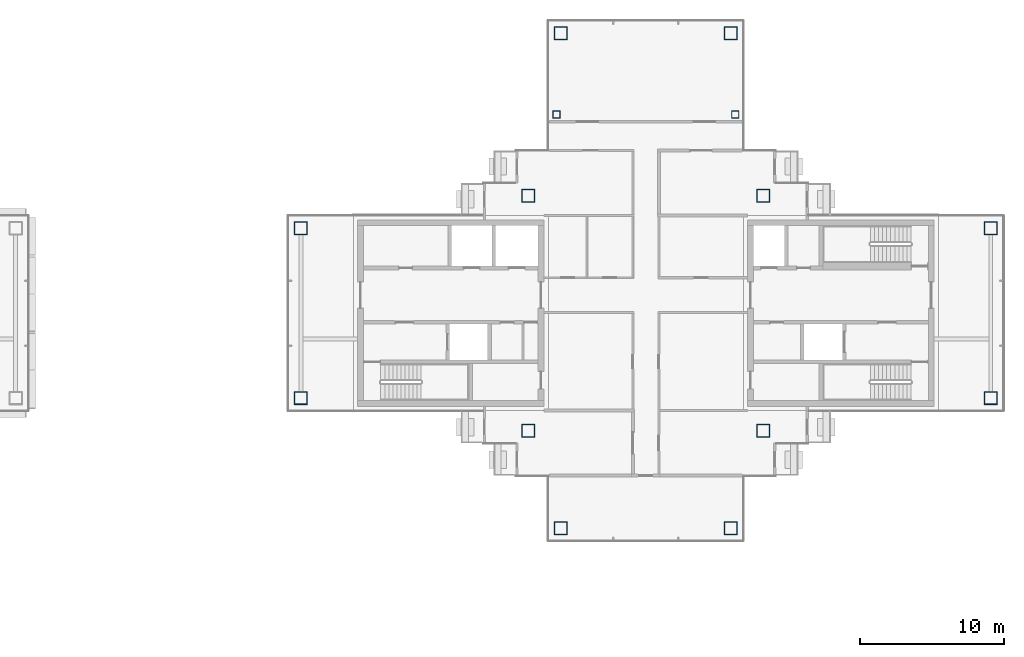
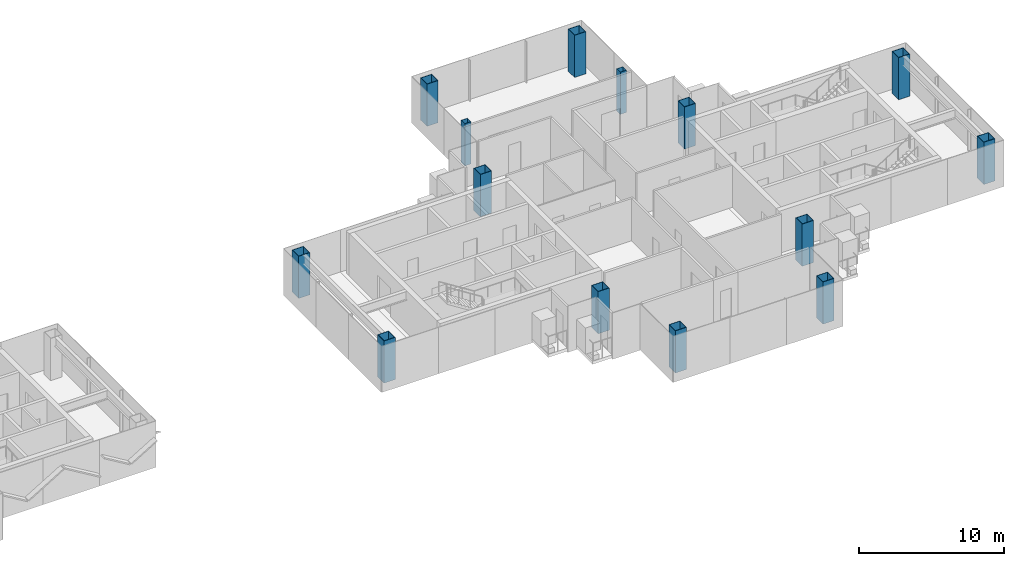
# One storey, part 2 of 17: 14 columns.
"""IFC4 building model written with IfcOpenShell, lengths in metres."""

import ifcopenshell
import ifcopenshell.guid

model = None  # the IFC model being written
_history = None  # IfcOwnerHistory: only IFC2X3 demands one
_inside = {}  # id of a spatial element -> (the spatial element, [elements in it])
_under = {}  # id of a project, library or spatial element -> (it, [spatial elements below it])
_declared = {}  # id of a project -> (the project, [libraries it declares])
_typed = {}  # id of a type object -> (the type object, [elements of that type])
_made_of = {}  # id of a material, layer set ... -> (it, [elements and type objects made of it])


def new_model(schema):
    """Start an empty IFC model of exactly this schema.

    Asked for "IFC4X3", IfcOpenShell would pick the latest addendum, in which some entities
    have other attributes; the version numbers below select the first issue.
    IFC2X3 requires an IfcOwnerHistory on every rooted entity: one is made here for all.
    """
    global model, _history
    if schema == "IFC4X3":
        model = ifcopenshell.file(schema_version=(4, 3, 0, 0))
    else:
        model = ifcopenshell.file(schema=schema)
    _inside.clear()
    _under.clear()
    _declared.clear()
    _typed.clear()
    _made_of.clear()
    _history = None
    if model.schema == "IFC2X3":
        org = make("IfcOrganization", Name="unknown")
        user = make(
            "IfcPersonAndOrganization",
            ThePerson=make("IfcPerson", FamilyName="unknown"),
            TheOrganization=org,
        )
        app = make(
            "IfcApplication",
            ApplicationDeveloper=org,
            Version="unknown",
            ApplicationFullName="unknown",
            ApplicationIdentifier="unknown",
        )
        _history = make(
            "IfcOwnerHistory",
            OwningUser=user,
            OwningApplication=app,
            ChangeAction="ADDED",
            CreationDate=0,
        )
    return model


def make(cls, **values):
    """One entity of the class cls with the attributes given. An attribute that is None is left unset."""
    return model.create_entity(
        cls, **{name: value for name, value in values.items() if value is not None}
    )


def rooted(cls, **values):
    """An entity with a GlobalId (a new one), such as an element, a storey or a relation."""
    return make(cls, GlobalId=ifcopenshell.guid.new(), OwnerHistory=_history, **values)


def si_unit(unit_type, name, prefix=None):
    """IfcSIUnit, for example si_unit("LENGTHUNIT", "METRE", prefix="MILLI")."""
    return make("IfcSIUnit", UnitType=unit_type, Prefix=prefix, Name=name)


def assignment(units):
    """IfcUnitAssignment: the units of a project."""
    return None if units is None else make("IfcUnitAssignment", Units=units)


def point(xyz):
    """IfcCartesianPoint."""
    return None if xyz is None else make("IfcCartesianPoint", Coordinates=xyz)


def direction(xyz):
    """IfcDirection."""
    return None if xyz is None else make("IfcDirection", DirectionRatios=xyz)


def frame(location, z_axis=None, x_axis=None):
    """IfcAxis2Placement3D, a coordinate frame: its origin and axes. An axis left out is left unset."""
    return make(
        "IfcAxis2Placement3D",
        Location=point(location),
        Axis=direction(z_axis),
        RefDirection=direction(x_axis),
    )


def frame_2d(location, x_axis=None):
    """IfcAxis2Placement2D, a coordinate frame in the plane: its origin and x axis."""
    return make(
        "IfcAxis2Placement2D", Location=point(location), RefDirection=direction(x_axis)
    )


def origin():
    """The frame at (0, 0, 0) with its axes left unset."""
    return frame((0.0, 0.0, 0.0))


def origin_2d():
    """The frame at (0, 0) in the plane with its x axis left unset."""
    return frame_2d((0.0, 0.0))


def place(relative_to, where):
    """IfcLocalPlacement: puts the frame where relative to a parent placement (None: the world)."""
    return make(
        "IfcLocalPlacement", PlacementRelTo=relative_to, RelativePlacement=where
    )


def context(
    kind, dimensions, precision=None, world=None, true_north=None, identifier=None
):
    """IfcGeometricRepresentationContext, for example the 3D "Model" context."""
    return make(
        "IfcGeometricRepresentationContext",
        ContextIdentifier=identifier,
        ContextType=kind,
        CoordinateSpaceDimension=dimensions,
        Precision=precision,
        WorldCoordinateSystem=world,
        TrueNorth=true_north,
    )


def subcontext(parent, identifier, kind, view, scale=None):
    """IfcGeometricRepresentationSubContext, for example "Body" below "Model"."""
    return make(
        "IfcGeometricRepresentationSubContext",
        ContextIdentifier=identifier,
        ContextType=kind,
        ParentContext=parent,
        TargetScale=scale,
        TargetView=view,
    )


def project(units=None, contexts=None):
    """IfcProject with its units and contexts."""
    return rooted(
        "IfcProject",
        Name="project",
        RepresentationContexts=contexts,
        UnitsInContext=assignment(units),
    )


def spatial(cls, under=None, at=None, **own):
    """A site, building, storey or space (cls), placed at a placement, below another one or the project."""
    s = rooted(cls, ObjectPlacement=at, **own)
    if under is not None:
        _under.setdefault(under.id(), (under, []))[1].append(s)
    return s


def profile(cls, at=None, kind="AREA", **sizes):
    """A parametric profile (cls). Its sizes go by their IFC names, for example OverallWidth=200.0."""
    return make(cls, ProfileType=kind, Position=at, **sizes)


def hollow_rectangle(**sizes):
    """IfcRectangleHollowProfileDef."""
    return profile("IfcRectangleHollowProfileDef", **sizes)


def extrude(swept, where, along, depth):
    """IfcExtrudedAreaSolid: the profile swept, set in the frame where, extruded along a direction by depth."""
    return make(
        "IfcExtrudedAreaSolid",
        SweptArea=swept,
        Position=where,
        ExtrudedDirection=direction(along),
        Depth=depth,
    )


def shape(context_of_items, identifier, shape_type, items):
    """IfcShapeRepresentation: the items that make up one representation, for example the "Body"."""
    return make(
        "IfcShapeRepresentation",
        ContextOfItems=context_of_items,
        RepresentationIdentifier=identifier,
        RepresentationType=shape_type,
        Items=items,
    )


def material(Name=None, Category=None):
    """IfcMaterial."""
    return make("IfcMaterial", Name=Name, Category=Category)


def material_profile(
    of_material, cross_section, Name=None, Category=None, Priority=None
):
    """IfcMaterialProfile: a cross section and its material."""
    return make(
        "IfcMaterialProfile",
        Name=Name,
        Material=of_material,
        Profile=cross_section,
        Priority=Priority,
        Category=Category,
    )


def profile_set(profiles, Name=None, composite=None):
    """IfcMaterialProfileSet."""
    return make(
        "IfcMaterialProfileSet",
        Name=Name,
        MaterialProfiles=profiles,
        CompositeProfile=composite,
    )


def made_of(thing, what):
    """Note that an element or type object is made of a material, layer set ...; save() writes the relation."""
    if what is not None:
        _made_of.setdefault(what.id(), (what, []))[1].append(thing)
    return thing


def type_object(cls, material=None, **own):
    """A type object (cls), such as IfcWallType, which elements share."""
    return made_of(rooted(cls, **own), material)


def element(
    cls,
    number,
    at=None,
    inside=None,
    cuts=None,
    type_object=None,
    material=None,
    context=None,
    identifier="Body",
    shape_type=None,
    held_by="IfcProductDefinitionShape",
    body=None,
    shapes=None,
    **own,
):
    """One element of the class cls, such as IfcWall. Its Tag is "e" and its number.

    at: its placement. inside: the storey or other place that contains it. cuts: it is an
    opening in that element (IfcRelVoidsElement). A single representation is given by context,
    identifier, shape_type and body (its items); several are given by shapes. held_by: the class
    of the entity that holds the representations. save() writes the other relations.
    """
    e = rooted(cls, Tag="e%d" % number, ObjectPlacement=at, **own)
    if body is not None:
        shapes = [shape(context, identifier, shape_type, body)]
    if shapes is not None:
        e.Representation = make(held_by, Representations=shapes)
    if inside is not None:
        _inside.setdefault(inside.id(), (inside, []))[1].append(e)
    if cuts is not None:
        rooted(
            "IfcRelVoidsElement", RelatingBuildingElement=cuts, RelatedOpeningElement=e
        )
    if type_object is not None:
        _typed.setdefault(type_object.id(), (type_object, []))[1].append(e)
    return made_of(e, material)


def aggregate(whole, parts):
    """IfcRelAggregates: a whole, such as a stair, and the parts it consists of."""
    return rooted("IfcRelAggregates", RelatingObject=whole, RelatedObjects=parts)


def save(model, path):
    """Write the relations noted so far, then the file.

    IfcRelAggregates (storeys below a building ...), IfcRelContainedInSpatialStructure (elements
    in a storey), IfcRelDefinesByType, IfcRelAssociatesMaterial and IfcRelDeclares: one each for
    every whole, place, type object, material and project.
    """
    for whole, parts in _under.values():
        aggregate(whole, parts)
    for where, things in _inside.values():
        rooted(
            "IfcRelContainedInSpatialStructure",
            RelatedElements=things,
            RelatingStructure=where,
        )
    for kind, things in _typed.values():
        rooted("IfcRelDefinesByType", RelatedObjects=things, RelatingType=kind)
    for what, things in _made_of.values():
        rooted("IfcRelAssociatesMaterial", RelatedObjects=things, RelatingMaterial=what)
    for by, libraries in _declared.values():
        rooted("IfcRelDeclares", RelatingContext=by, RelatedDefinitions=libraries)
    model.write(path)


model = new_model("IFC4")

# Units and contexts
model_context = context("Model", 3, precision=1e-05, world=origin(), true_north=direction((0.0, 1.0)))
body_context = subcontext(model_context, "Body", "Model", "MODEL_VIEW")
ifc_project = project(units=[si_unit("LENGTHUNIT", "METRE"), si_unit("AREAUNIT", "SQUARE_METRE"), si_unit("VOLUMEUNIT", "CUBIC_METRE"), si_unit("PLANEANGLEUNIT", "RADIAN"), si_unit("MASSUNIT", "GRAM", prefix="KILO")], contexts=[model_context])

# Site, building, storey
site_placement = place(None, origin())
site = spatial("IfcSite", under=ifc_project, at=site_placement, CompositionType="ELEMENT")
building_placement = place(site_placement, origin())
building = spatial("IfcBuilding", under=site, at=building_placement, Name="Shamsa Quay Exchange Towers", CompositionType="ELEMENT")
storey_placement = place(building_placement, frame((0.0, 0.0, 230.39990234375)))
storey = spatial("IfcBuildingStorey", under=building, at=storey_placement, Name="L55", CompositionType="ELEMENT", Elevation=230.39990234375)

# Columns
ifc_material_1 = material(Name="Concrete-filled steel tube S355 / C60/75", Category="concrete")
ifc_material_profile_1 = material_profile(ifc_material_1, hollow_rectangle(XDim=0.5, YDim=0.5, WallThickness=0.01611328125, at=origin_2d()), Name="CFT 500x500x16")
ifc_profile_set_1 = profile_set([ifc_material_profile_1], Name="Concrete-filled steel tube S355 / C60/75")
column_type_1 = type_object("IfcColumnType", Name="Column CFT 500x500x16", PredefinedType="COLUMN", material=ifc_profile_set_1)
for number, where, name in (
    (1, (39.9375, 13.75, 0.0), "Perimeter column T2-CP05"),
    (2, (27.5625, 13.75, 0.0), "Perimeter column T2-CP09"),
):
    element("IfcColumn", number, at=place(storey_placement, frame(where)), inside=storey, type_object=column_type_1, Name=name, PredefinedType="COLUMN", context=body_context, shape_type="SweptSolid", body=[
        extrude(hollow_rectangle(XDim=0.5, YDim=0.5, WallThickness=0.01611328125, at=origin_2d()), origin(), (0.0, 0.0, 1.0), 3.550048828125),
    ])
ifc_material_2 = material(Name="Concrete-filled steel tube S355 / C80/95", Category="concrete")
ifc_material_profile_2 = material_profile(ifc_material_2, hollow_rectangle(XDim=0.89990234375, YDim=0.89990234375, WallThickness=0.035888671875, at=origin_2d()), Name="CFT 900x900x36")
ifc_profile_set_2 = profile_set([ifc_material_profile_2], Name="Concrete-filled steel tube S355 / C80/95")
column_type_2 = type_object("IfcColumnType", Name="Column CFT 900x900x36", PredefinedType="COLUMN", material=ifc_profile_set_2)
for number, where, name in (
    (3, (25.625, 8.125, 0.0), "Mega column T2-CM01"),
    (4, (41.875, 8.125, 0.0), "Mega column T2-CM02"),
    (5, (25.625, -8.125, 0.0), "Mega column T2-CM03"),
    (6, (41.875, -8.125, 0.0), "Mega column T2-CM04"),
    (7, (39.625, 19.375, 0.0), "Mega column T2-CM06"),
    (8, (27.875, 19.375, 0.0), "Mega column T2-CM10"),
    (9, (39.625, -14.875, 0.0), "Mega column T2-CM13"),
    (10, (27.875, -14.875, 0.0), "Mega column T2-CM16"),
    (11, (9.875, -5.875, 0.0), "Mega column T2-CM19"),
    (12, (9.875, 5.875, 0.0), "Mega column T2-CM20"),
    (13, (57.625, -5.875, 0.0), "Mega column T2-CM21"),
    (14, (57.625, 5.875, 0.0), "Mega column T2-CM23"),
):
    element("IfcColumn", number, at=place(storey_placement, frame(where)), inside=storey, type_object=column_type_2, Name=name, PredefinedType="COLUMN", context=body_context, shape_type="SweptSolid", body=[
        extrude(hollow_rectangle(XDim=0.89990234375, YDim=0.89990234375, WallThickness=0.035888671875, at=origin_2d()), origin(), (0.0, 0.0, 1.0), 3.550048828125),
    ])

save(model, "model.ifc")
